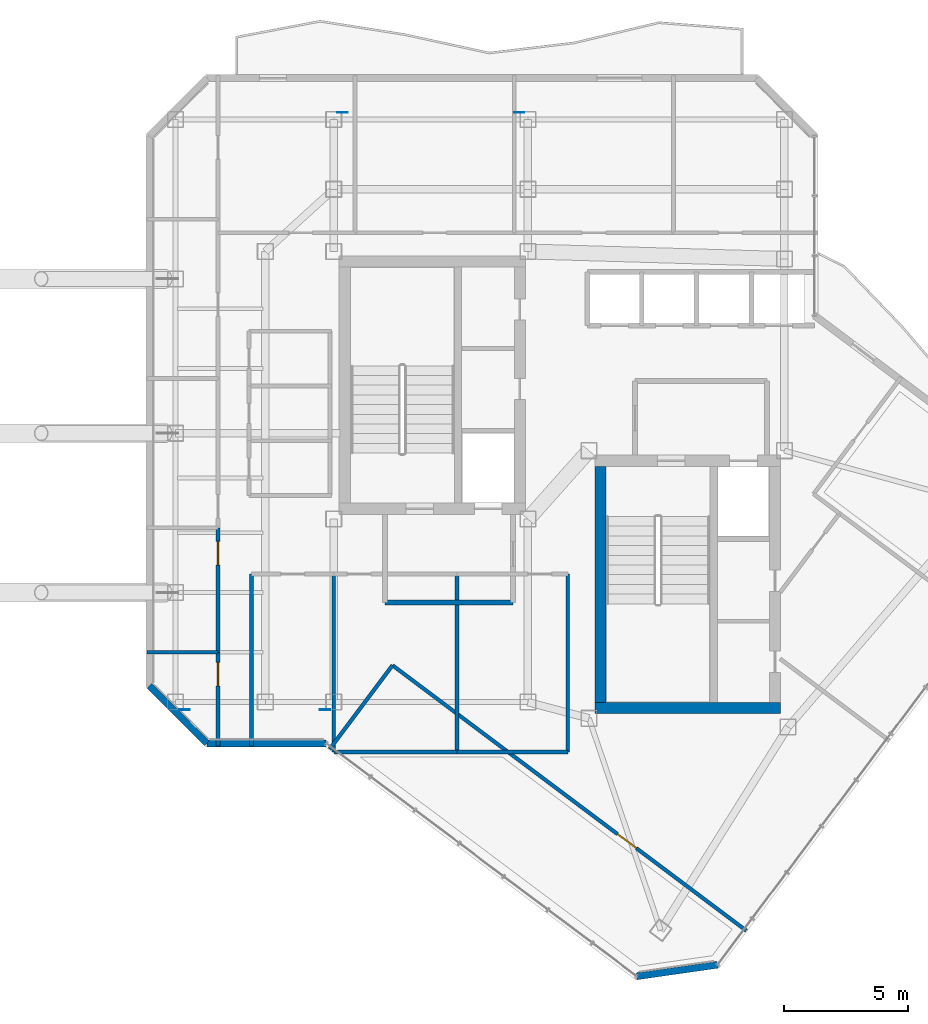
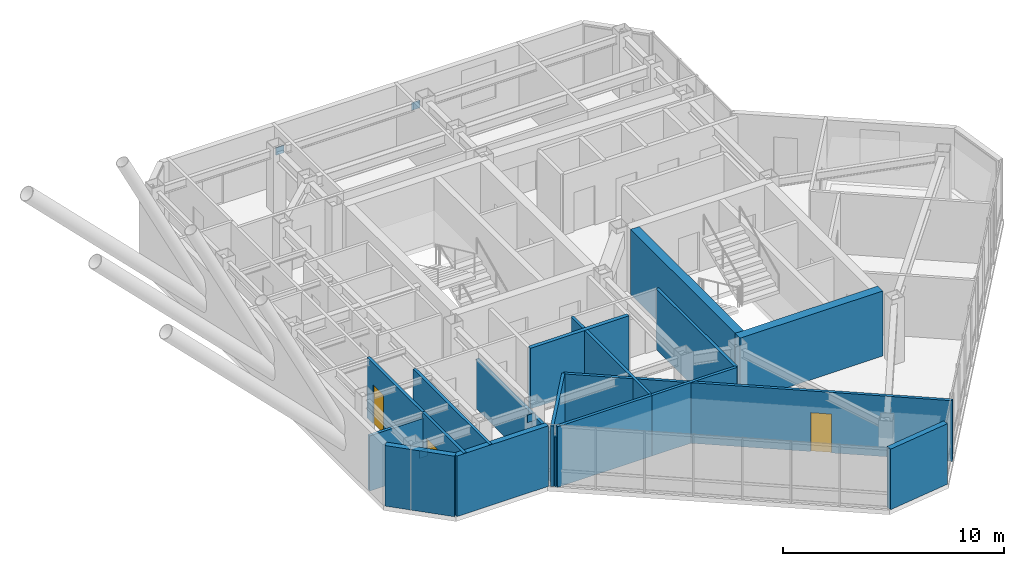
# One storey, part 15 of 21: 17 walls, 4 plates, 3 doors, 3 openings.
"""IFC4 building model written with IfcOpenShell, lengths in metres."""

from ifc_helpers import new_model, si_unit, direction, frame, frame_2d, origin, origin_2d, place, context, subcontext, project, spatial, rectangle, extrude, material, layer, layer_set, type_object, element, fill, save


model = new_model("IFC4")

# Units and contexts
model_context = context("Model", 3, precision=1e-05, world=origin(), true_north=direction((0.0, 1.0)))
body_context = subcontext(model_context, "Body", "Model", "MODEL_VIEW")
ifc_project = project(units=[si_unit("LENGTHUNIT", "METRE"), si_unit("AREAUNIT", "SQUARE_METRE"), si_unit("VOLUMEUNIT", "CUBIC_METRE"), si_unit("PLANEANGLEUNIT", "RADIAN"), si_unit("MASSUNIT", "GRAM", prefix="KILO")], contexts=[model_context])

# Site, building, storey
site_placement = place(None, origin())
site = spatial("IfcSite", under=ifc_project, at=site_placement, CompositionType="ELEMENT")
building_placement = place(site_placement, origin())
building = spatial("IfcBuilding", under=site, at=building_placement, Name="Hatsunagi Terrace Concourse", CompositionType="ELEMENT")
storey_placement = place(building_placement, frame((0.0, 0.0, 246.75)))
storey = spatial("IfcBuildingStorey", under=building, at=storey_placement, Name="L65", CompositionType="ELEMENT", Elevation=246.75)

# Plates
ifc_material_1 = material(Name="Steel SN490C", Category="steel")
ifc_layer_1 = layer(ifc_material_1, 0.031982421875)
ifc_layer_set_1 = layer_set([ifc_layer_1], Name="XBraceNodeCapPlate_32")
plate_type = type_object("IfcPlateType", Name="XBraceNodeCapPlate_32", PredefinedType="USERDEFINED", material=ifc_layer_set_1)
for number, where, z_axis, x_axis, name in (
    (1, (19.550048828125, 24.89990234375, 2.699951171875), (0.0, 0.0, 1.0), (1.0, 0.0, 0.0), "Cast-In Core and Node Embed Plate GP-02 EP-XB-L63-W1-AT"),
    (2, (25.199951171875, 24.89990234375, 2.699951171875), (0.0, 0.0, 1.0), (1.0, 0.0, 0.0), "Cast-In Core and Node Embed Plate GP-02 EP-XB-L63-W1-BT"),
    (3, (25.89990234375, 48.8798828125, 2.699951171875), (0.0, 0.0, 1.0), (1.0, 0.0, 0.0), "Cast-In Core and Node Embed Plate GP-02 EP-XB-L63-SE-AT"),
    (4, (33.0, 48.8798828125, 2.699951171875), (0.0, 0.0, 1.0), (1.0, 0.0, 0.0), "Cast-In Core and Node Embed Plate GP-02 EP-XB-L63-SE-BT"),
):
    element("IfcPlate", number, at=place(storey_placement, frame(where, z_axis=z_axis, x_axis=x_axis)), inside=storey, type_object=plate_type, Name=name, ObjectType="GUSSET_PLATE", PredefinedType="USERDEFINED", context=body_context, shape_type="SweptSolid", body=[
        extrude(rectangle(XDim=0.419921875, YDim=0.031982421875, at=origin_2d()), origin(), (0.0, 0.0, 1.0), 0.419921875),
    ])

# Walls
ifc_material_2 = material(Name="Concrete Fc42", Category="concrete")
ifc_layer_2 = layer(ifc_material_2, 0.449951171875)
ifc_layer_set_2 = layer_set([ifc_layer_2], Name="CoreShearWall_Fc42_450")
wall_type_1 = type_object("IfcWallType", Name="CoreShearWall_Fc42_450", PredefinedType="SHEAR", material=ifc_layer_set_2)
wall_1_placement = place(storey_placement, frame((36.0400390625, 24.965087890625, 0.0), z_axis=(0.0, 0.0, 1.0), x_axis=(1.0, 0.0, 0.0)))
element("IfcWall", 5, at=wall_1_placement, inside=storey, type_object=wall_type_1, Name="Core B Shear Wall S L65", PredefinedType="SHEAR", context=body_context, shape_type="SweptSolid", body=[
    extrude(rectangle(XDim=7.4599609375, YDim=0.449951171875, at=frame_2d((3.72998046875, 0.0))), origin(), (0.0, 0.0, 1.0), 3.60009765625),
])
wall_2_placement = place(storey_placement, frame((36.264892578125, 25.18994140625, 0.0), z_axis=(0.0, 0.0, 1.0), x_axis=(0.0, 1.0, 0.0)))
element("IfcWall", 6, at=wall_2_placement, inside=storey, type_object=wall_type_1, Name="Core B Shear Wall W L65", PredefinedType="SHEAR", context=body_context, shape_type="SweptSolid", body=[
    extrude(rectangle(XDim=9.47998046875, YDim=0.449951171875, at=frame_2d((4.739990234375, 0.0))), origin(), (0.0, 0.0, 1.0), 3.60009765625),
])
ifc_material_3 = material(Name="Acoustic mineral board", Category="gypsum")
ifc_layer_3 = layer(ifc_material_3, 0.14990234375)
ifc_layer_set_3 = layer_set([ifc_layer_3], Name="PartitionWall_EI60_150")
wall_type_2 = type_object("IfcWallType", Name="PartitionWall_EI60_150", PredefinedType="PARTITIONING", material=ifc_layer_set_3)
wall_3_placement = place(storey_placement, frame((25.550048828125, 23.199951171875, 0.0), z_axis=(0.0, 0.0, 1.0), x_axis=(1.0, 0.0, 0.0)))
element("IfcWall", 7, at=wall_3_placement, inside=storey, type_object=wall_type_2, Name="Interior Partition IW-L65-025", PredefinedType="PARTITIONING", context=body_context, shape_type="SweptSolid", body=[
    extrude(rectangle(XDim=4.949951171875, YDim=0.14990234375, at=frame_2d((2.47509765625, 0.0))), origin(), (0.0, 0.0, 1.0), 3.35009765625),
])
wall_4_placement = place(storey_placement, frame((25.550048828125, 23.199951171875, 0.0), z_axis=(0.0, 0.0, 1.0), x_axis=(0.0, 1.0, 0.0)))
element("IfcWall", 8, at=wall_4_placement, inside=storey, type_object=wall_type_2, Name="Interior Partition IW-L65-027", PredefinedType="PARTITIONING", context=body_context, shape_type="SweptSolid", body=[
    extrude(rectangle(XDim=7.150146484375, YDim=0.14990234375, at=frame_2d((3.5751953125, 0.0))), origin(), (0.0, 0.0, 1.0), 2.757080078125),
])
wall_5_placement = place(storey_placement, frame((30.5, 23.199951171875, 0.0), z_axis=(0.0, 0.0, 1.0), x_axis=(0.0, 1.0, 0.0)))
element("IfcWall", 9, at=wall_5_placement, inside=storey, type_object=wall_type_2, Name="Interior Partition IW-L65-028", PredefinedType="PARTITIONING", context=body_context, shape_type="SweptSolid", body=[
    extrude(rectangle(XDim=7.150146484375, YDim=0.14990234375, at=frame_2d((3.5751953125, 0.0))), origin(), (0.0, 0.0, 1.0), 3.35009765625),
])
wall_6_placement = place(storey_placement, frame((30.5, 23.199951171875, 0.0), z_axis=(0.0, 0.0, 1.0), x_axis=(1.0, 0.0, 0.0)))
element("IfcWall", 10, at=wall_6_placement, inside=storey, type_object=wall_type_2, Name="Interior Partition IW-L65-029", PredefinedType="PARTITIONING", context=body_context, shape_type="SweptSolid", body=[
    extrude(rectangle(XDim=4.449951171875, YDim=0.14990234375, at=frame_2d((2.22509765625, 0.0))), origin(), (0.0, 0.0, 1.0), 3.35009765625),
])
wall_7_placement = place(storey_placement, frame((34.949951171875, 23.199951171875, 0.0), z_axis=(0.0, 0.0, 1.0), x_axis=(0.0, 1.0, 0.0)))
element("IfcWall", 11, at=wall_7_placement, inside=storey, type_object=wall_type_2, Name="Interior Partition IW-L65-031", PredefinedType="PARTITIONING", context=body_context, shape_type="SweptSolid", body=[
    extrude(rectangle(XDim=7.150146484375, YDim=0.14990234375, at=frame_2d((3.5751953125, 0.0))), origin(), (0.0, 0.0, 1.0), 3.35009765625),
])
wall_8_placement = place(storey_placement, frame((18.0400390625, 27.199951171875, 0.0), z_axis=(0.0, 0.0, 1.0), x_axis=(1.0, 0.0, 0.0)))
element("IfcWall", 12, at=wall_8_placement, inside=storey, type_object=wall_type_2, Name="Interior Partition IW-L65-032", PredefinedType="PARTITIONING", context=body_context, shape_type="SweptSolid", body=[
    extrude(rectangle(XDim=2.85986328125, YDim=0.14990234375, at=frame_2d((1.429931640625, 0.0))), origin(), (0.0, 0.0, 1.0), 3.044921875),
])

# Wall, opening, door
wall_9_placement = place(storey_placement, frame((20.89990234375, 23.43994140625, 0.0), z_axis=(0.0, 0.0, 1.0), x_axis=(0.0, 1.0, 0.0)))
wall_9 = element("IfcWall", 13, at=wall_9_placement, inside=storey, type_object=wall_type_2, Name="Interior Partition IW-L65-033", PredefinedType="PARTITIONING", context=body_context, shape_type="SweptSolid", body=[
    extrude(rectangle(XDim=3.760009765625, YDim=0.14990234375, at=frame_2d((1.8798828125, 0.0))), origin(), (0.0, 0.0, 1.0), 3.35009765625),
])
opening_1_placement = place(wall_9_placement, frame((2.408935546875, 0.0, 0.0)))
opening_1 = element("IfcOpeningElement", 14, at=opening_1_placement, cuts=wall_9, Name="Opening DR-095", PredefinedType="OPENING", context=body_context, shape_type="SweptSolid", body=[
    extrude(rectangle(XDim=0.949951171875, YDim=2.14990234375, at=frame_2d((0.47509765625, 1.074951171875))), frame((0.0, 0.0849609375, 0.0), z_axis=(0.0, -1.0, 0.0), x_axis=(1.0, 0.0, 0.0)), (0.0, 0.0, 1.0), 0.169921875),
])
ifc_material_4 = material(Name="Hardwood timber", Category="wood")
door_type = type_object("IfcDoorType", Name="InteriorSuiteDoor_EI30_950", OperationType="NOTDEFINED", PredefinedType="DOOR", material=ifc_material_4)
door_1_placement = place(opening_1_placement, origin())
door_1 = element("IfcDoor", 15, at=door_1_placement, inside=storey, type_object=door_type, Name="Focus Room L65-OW1 Door", OperationType="SINGLE_SWING_RIGHT", OverallHeight=2.14990234375, OverallWidth=0.949951171875, PredefinedType="DOOR", context=body_context, shape_type="SweptSolid", body=[
    extrude(rectangle(XDim=0.949951171875, YDim=2.14990234375, at=frame_2d((0.47509765625, 1.074951171875))), frame((0.0, 0.02490234375, 0.0), z_axis=(0.0, -1.0, 0.0), x_axis=(1.0, 0.0, 0.0)), (0.0, 0.0, 1.0), 0.050048828125),
])
fill(opening_1, door_1)

wall_10_placement = place(storey_placement, frame((20.89990234375, 27.199951171875, 0.0), z_axis=(0.0, 0.0, 1.0), x_axis=(0.0, 1.0, 0.0)))
wall_10 = element("IfcWall", 16, at=wall_10_placement, inside=storey, type_object=wall_type_2, Name="Interior Partition IW-L65-035", PredefinedType="PARTITIONING", context=body_context, shape_type="SweptSolid", body=[
    extrude(rectangle(XDim=5.0, YDim=0.14990234375, at=frame_2d((2.5, 0.0))), origin(), (0.0, 0.0, 1.0), 3.35009765625),
])
opening_2_placement = place(wall_10_placement, frame((3.506103515625, 0.0, 0.0)))
opening_2 = element("IfcOpeningElement", 17, at=opening_2_placement, cuts=wall_10, Name="Opening DR-095", PredefinedType="OPENING", context=body_context, shape_type="SweptSolid", body=[
    extrude(rectangle(XDim=0.949951171875, YDim=2.14990234375, at=frame_2d((0.47509765625, 1.074951171875))), frame((0.0, 0.0849609375, 0.0), z_axis=(0.0, -1.0, 0.0), x_axis=(1.0, 0.0, 0.0)), (0.0, 0.0, 1.0), 0.169921875),
])
door_2_placement = place(opening_2_placement, origin())
door_2 = element("IfcDoor", 18, at=door_2_placement, inside=storey, type_object=door_type, Name="Executive Office L65-OW2 Door", OperationType="SINGLE_SWING_RIGHT", OverallHeight=2.14990234375, OverallWidth=0.949951171875, PredefinedType="DOOR", context=body_context, shape_type="SweptSolid", body=[
    extrude(rectangle(XDim=0.949951171875, YDim=2.14990234375, at=frame_2d((0.47509765625, 1.074951171875))), frame((0.0, 0.02490234375, 0.0), z_axis=(0.0, -1.0, 0.0), x_axis=(1.0, 0.0, 0.0)), (0.0, 0.0, 1.0), 0.050048828125),
])
fill(opening_2, door_2)

# Wall
wall_11_placement = place(storey_placement, frame((22.25, 23.43994140625, 0.0), z_axis=(0.0, 0.0, 1.0), x_axis=(0.0, 1.0, 0.0)))
element("IfcWall", 19, at=wall_11_placement, inside=storey, type_object=wall_type_2, Name="Interior Partition IW-L65-054", PredefinedType="PARTITIONING", context=body_context, shape_type="SweptSolid", body=[
    extrude(rectangle(XDim=6.91015625, YDim=0.14990234375, at=frame_2d((3.455078125, 0.0))), origin(), (0.0, 0.0, 1.0), 3.35009765625),
])

# Wall, opening, door
wall_12_placement = place(storey_placement, frame((27.909912109375, 26.679931640625, 0.0), z_axis=(0.0, 0.0, 1.0), x_axis=(0.8, -0.6, 0.0)))
wall_12 = element("IfcWall", 20, at=wall_12_placement, inside=storey, type_object=wall_type_2, Name="Interior Partition IW-L65-055", PredefinedType="PARTITIONING", context=body_context, shape_type="SweptSolid", body=[
    extrude(rectangle(XDim=17.760009765625, YDim=0.14990234375, at=frame_2d((8.8798828125, 0.0))), origin(), (0.0, 0.0, 1.0), 3.35009765625),
])
opening_3_placement = place(wall_12_placement, frame((11.2939453125, 0.0, 0.0)))
opening_3 = element("IfcOpeningElement", 21, at=opening_3_placement, cuts=wall_12, Name="Opening DR-095", PredefinedType="OPENING", context=body_context, shape_type="SweptSolid", body=[
    extrude(rectangle(XDim=0.949951171875, YDim=2.14990234375, at=frame_2d((0.47509765625, 1.074951171875))), frame((0.0, 0.0849609375, 0.0), z_axis=(0.0, -1.0, 0.0), x_axis=(1.0, 0.0, 0.0)), (0.0, 0.0, 1.0), 0.169921875),
])
door_3_placement = place(opening_3_placement, origin())
door_3 = element("IfcDoor", 22, at=door_3_placement, inside=storey, type_object=door_type, Name="Research Focus Suite L65-OSWS Door", OperationType="SINGLE_SWING_LEFT", OverallHeight=2.14990234375, OverallWidth=0.949951171875, PredefinedType="DOOR", context=body_context, shape_type="SweptSolid", body=[
    extrude(rectangle(XDim=0.949951171875, YDim=2.14990234375, at=frame_2d((0.47509765625, 1.074951171875))), frame((0.0, 0.02490234375, 0.0), z_axis=(0.0, -1.0, 0.0), x_axis=(1.0, 0.0, 0.0)), (0.0, 0.0, 1.0), 0.050048828125),
])
fill(opening_3, door_3)

# Walls
wall_13_placement = place(storey_placement, frame((25.384033203125, 23.31201171875, 0.0), z_axis=(0.0, 0.0, 1.0), x_axis=(0.599990721155, 0.80000695905, 0.0)))
element("IfcWall", 23, at=wall_13_placement, inside=storey, type_object=wall_type_2, Name="Interior Partition IW-L65-056", PredefinedType="PARTITIONING", context=body_context, shape_type="SweptSolid", body=[
    extrude(rectangle(XDim=4.2099609375, YDim=0.14990234375, at=frame_2d((2.10498046875, 0.0))), origin(), (0.0, 0.0, 1.0), 3.35009765625),
])
ifc_material_5 = material(Name="Acoustic mineral board", Category="gypsum")
ifc_layer_4 = layer(ifc_material_5, 0.199951171875)
ifc_layer_set_4 = layer_set([ifc_layer_4], Name="ShaftWall_EI120_200")
wall_type_3 = type_object("IfcWallType", Name="ShaftWall_EI120_200", PredefinedType="STANDARD", material=ifc_layer_set_4)
wall_14_placement = place(storey_placement, frame((27.60009765625, 29.199951171875, 0.0), z_axis=(0.0, 0.0, 1.0), x_axis=(1.0, 0.0, 0.0)))
element("IfcWall", 24, at=wall_14_placement, inside=storey, type_object=wall_type_3, Name="Interior Partition IW-L65-005", PredefinedType="STANDARD", context=body_context, shape_type="SweptSolid", body=[
    extrude(rectangle(XDim=5.14990234375, YDim=0.199951171875, at=frame_2d((2.574951171875, 0.0))), origin(), (0.0, 0.0, 1.0), 3.35009765625),
])
ifc_material_6 = material(Name="Autoclaved Lightweight Concrete and Terracotta Cladding", Category="masonry")
ifc_layer_5 = layer(ifc_material_6, 0.280029296875)
ifc_layer_set_5 = layer_set([ifc_layer_5], Name="TerracottaSpandrelWall_280")
wall_type_4 = type_object("IfcWallType", Name="TerracottaSpandrelWall_280", PredefinedType="STANDARD", material=ifc_layer_set_5)
wall_15_placement = place(storey_placement, frame((40.962890625, 14.64990234375, 0.0), z_axis=(0.0, 0.0, 1.0), x_axis=(-0.989977778067, -0.141223223777, 0.0)))
element("IfcWall", 25, at=wall_15_placement, inside=storey, type_object=wall_type_4, Name="Exterior Spandrel Wall EW-L65-04", PredefinedType="STANDARD", context=body_context, shape_type="SweptSolid", body=[
    extrude(rectangle(XDim=3.27783203125, YDim=0.280029296875, at=frame_2d((1.638916015625, 0.0))), origin(), (0.0, 0.0, 1.0), 3.35009765625),
])
wall_16_placement = place(storey_placement, frame((25.2470703125, 23.5400390625, 0.0), z_axis=(0.0, 0.0, 1.0), x_axis=(-1.0, 0.0, 0.0)))
element("IfcWall", 26, at=wall_16_placement, inside=storey, type_object=wall_type_4, Name="Exterior Spandrel Wall EW-L65-06", PredefinedType="STANDARD", context=body_context, shape_type="SweptSolid", body=[
    extrude(rectangle(XDim=4.7890625, YDim=0.280029296875, at=frame_2d((2.39453125, 0.0))), origin(), (0.0, 0.0, 1.0), 3.35009765625),
])
wall_17_placement = place(storey_placement, frame((20.4580078125, 23.5400390625, 0.0), z_axis=(0.0, 0.0, 1.0), x_axis=(-0.707144017911, 0.707069542501, 0.0)))
element("IfcWall", 27, at=wall_17_placement, inside=storey, type_object=wall_type_4, Name="Exterior Spandrel Wall EW-L65-07", PredefinedType="STANDARD", context=body_context, shape_type="SweptSolid", body=[
    extrude(rectangle(XDim=3.278076171875, YDim=0.280029296875, at=frame_2d((1.63916015625, 0.0))), origin(), (0.0, 0.0, 1.0), 3.35009765625),
])

save(model, "model.ifc")
